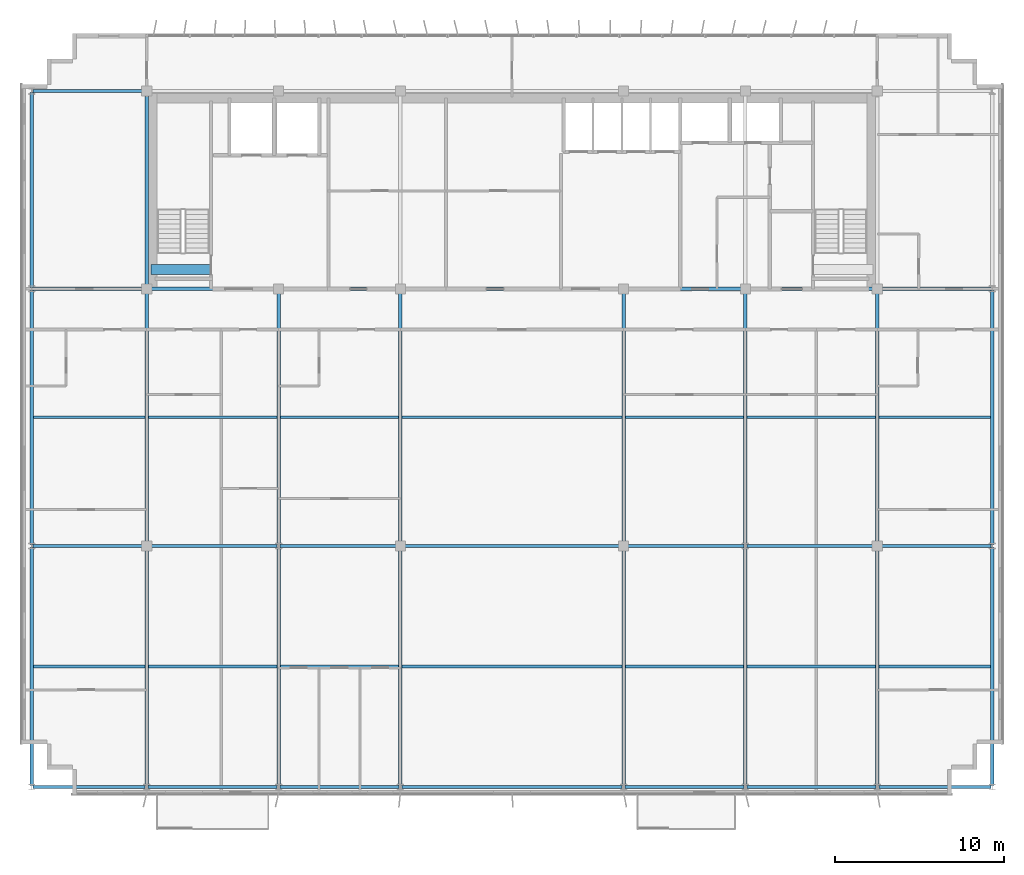
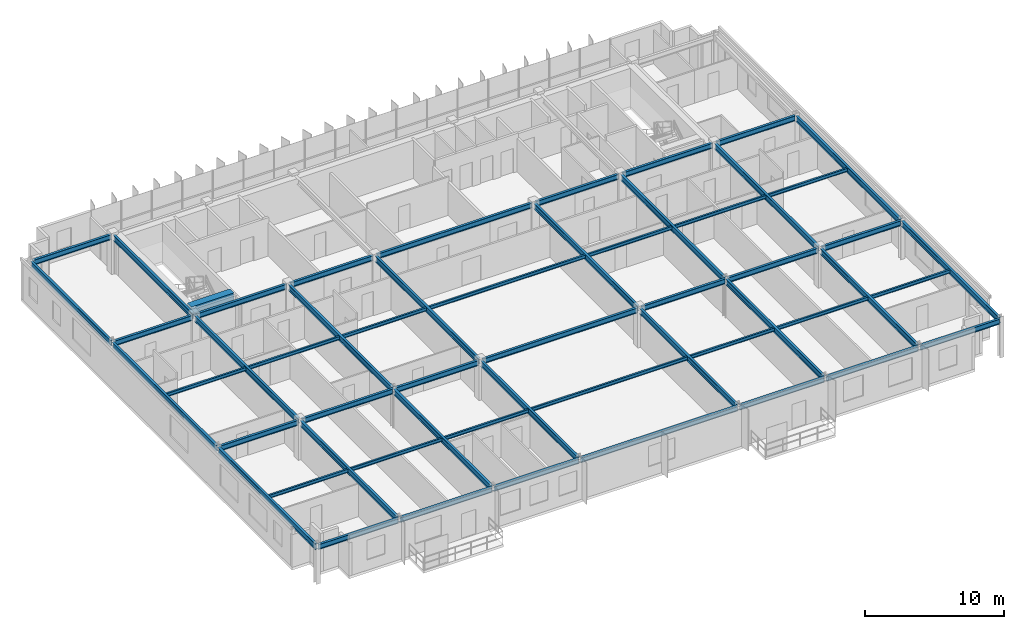
# One storey, part 5 of 22: 55 beams.
"""IFC4 building model written with IfcOpenShell, lengths in metres."""

import ifcopenshell
import ifcopenshell.guid

model = None  # the IFC model being written
_history = None  # IfcOwnerHistory: only IFC2X3 demands one
_inside = {}  # id of a spatial element -> (the spatial element, [elements in it])
_under = {}  # id of a project, library or spatial element -> (it, [spatial elements below it])
_declared = {}  # id of a project -> (the project, [libraries it declares])
_typed = {}  # id of a type object -> (the type object, [elements of that type])
_made_of = {}  # id of a material, layer set ... -> (it, [elements and type objects made of it])


def new_model(schema):
    """Start an empty IFC model of exactly this schema.

    Asked for "IFC4X3", IfcOpenShell would pick the latest addendum, in which some entities
    have other attributes; the version numbers below select the first issue.
    IFC2X3 requires an IfcOwnerHistory on every rooted entity: one is made here for all.
    """
    global model, _history
    if schema == "IFC4X3":
        model = ifcopenshell.file(schema_version=(4, 3, 0, 0))
    else:
        model = ifcopenshell.file(schema=schema)
    _inside.clear()
    _under.clear()
    _declared.clear()
    _typed.clear()
    _made_of.clear()
    _history = None
    if model.schema == "IFC2X3":
        org = make("IfcOrganization", Name="unknown")
        user = make(
            "IfcPersonAndOrganization",
            ThePerson=make("IfcPerson", FamilyName="unknown"),
            TheOrganization=org,
        )
        app = make(
            "IfcApplication",
            ApplicationDeveloper=org,
            Version="unknown",
            ApplicationFullName="unknown",
            ApplicationIdentifier="unknown",
        )
        _history = make(
            "IfcOwnerHistory",
            OwningUser=user,
            OwningApplication=app,
            ChangeAction="ADDED",
            CreationDate=0,
        )
    return model


def make(cls, **values):
    """One entity of the class cls with the attributes given. An attribute that is None is left unset."""
    return model.create_entity(
        cls, **{name: value for name, value in values.items() if value is not None}
    )


def rooted(cls, **values):
    """An entity with a GlobalId (a new one), such as an element, a storey or a relation."""
    return make(cls, GlobalId=ifcopenshell.guid.new(), OwnerHistory=_history, **values)


def si_unit(unit_type, name, prefix=None):
    """IfcSIUnit, for example si_unit("LENGTHUNIT", "METRE", prefix="MILLI")."""
    return make("IfcSIUnit", UnitType=unit_type, Prefix=prefix, Name=name)


def assignment(units):
    """IfcUnitAssignment: the units of a project."""
    return None if units is None else make("IfcUnitAssignment", Units=units)


def point(xyz):
    """IfcCartesianPoint."""
    return None if xyz is None else make("IfcCartesianPoint", Coordinates=xyz)


def direction(xyz):
    """IfcDirection."""
    return None if xyz is None else make("IfcDirection", DirectionRatios=xyz)


def frame(location, z_axis=None, x_axis=None):
    """IfcAxis2Placement3D, a coordinate frame: its origin and axes. An axis left out is left unset."""
    return make(
        "IfcAxis2Placement3D",
        Location=point(location),
        Axis=direction(z_axis),
        RefDirection=direction(x_axis),
    )


def frame_2d(location, x_axis=None):
    """IfcAxis2Placement2D, a coordinate frame in the plane: its origin and x axis."""
    return make(
        "IfcAxis2Placement2D", Location=point(location), RefDirection=direction(x_axis)
    )


def origin():
    """The frame at (0, 0, 0) with its axes left unset."""
    return frame((0.0, 0.0, 0.0))


def origin_2d():
    """The frame at (0, 0) in the plane with its x axis left unset."""
    return frame_2d((0.0, 0.0))


def place(relative_to, where):
    """IfcLocalPlacement: puts the frame where relative to a parent placement (None: the world)."""
    return make(
        "IfcLocalPlacement", PlacementRelTo=relative_to, RelativePlacement=where
    )


def context(
    kind, dimensions, precision=None, world=None, true_north=None, identifier=None
):
    """IfcGeometricRepresentationContext, for example the 3D "Model" context."""
    return make(
        "IfcGeometricRepresentationContext",
        ContextIdentifier=identifier,
        ContextType=kind,
        CoordinateSpaceDimension=dimensions,
        Precision=precision,
        WorldCoordinateSystem=world,
        TrueNorth=true_north,
    )


def subcontext(parent, identifier, kind, view, scale=None):
    """IfcGeometricRepresentationSubContext, for example "Body" below "Model"."""
    return make(
        "IfcGeometricRepresentationSubContext",
        ContextIdentifier=identifier,
        ContextType=kind,
        ParentContext=parent,
        TargetScale=scale,
        TargetView=view,
    )


def project(units=None, contexts=None):
    """IfcProject with its units and contexts."""
    return rooted(
        "IfcProject",
        Name="project",
        RepresentationContexts=contexts,
        UnitsInContext=assignment(units),
    )


def spatial(cls, under=None, at=None, **own):
    """A site, building, storey or space (cls), placed at a placement, below another one or the project."""
    s = rooted(cls, ObjectPlacement=at, **own)
    if under is not None:
        _under.setdefault(under.id(), (under, []))[1].append(s)
    return s


def profile(cls, at=None, kind="AREA", **sizes):
    """A parametric profile (cls). Its sizes go by their IFC names, for example OverallWidth=200.0."""
    return make(cls, ProfileType=kind, Position=at, **sizes)


def rectangle(**sizes):
    """IfcRectangleProfileDef."""
    return profile("IfcRectangleProfileDef", **sizes)


def i_section(**sizes):
    """IfcIShapeProfileDef."""
    return profile("IfcIShapeProfileDef", **sizes)


def extrude(swept, where, along, depth):
    """IfcExtrudedAreaSolid: the profile swept, set in the frame where, extruded along a direction by depth."""
    return make(
        "IfcExtrudedAreaSolid",
        SweptArea=swept,
        Position=where,
        ExtrudedDirection=direction(along),
        Depth=depth,
    )


def shape(context_of_items, identifier, shape_type, items):
    """IfcShapeRepresentation: the items that make up one representation, for example the "Body"."""
    return make(
        "IfcShapeRepresentation",
        ContextOfItems=context_of_items,
        RepresentationIdentifier=identifier,
        RepresentationType=shape_type,
        Items=items,
    )


def source(mapping_origin, context_of_items, identifier, shape_type, items):
    """IfcRepresentationMap: a shape defined once, which mapped items show again and again."""
    return make(
        "IfcRepresentationMap",
        MappingOrigin=mapping_origin,
        MappedRepresentation=shape(context_of_items, identifier, shape_type, items),
    )


def transform(
    local_origin,
    x_axis=None,
    y_axis=None,
    z_axis=None,
    scale=None,
    scale2=None,
    scale3=None,
    uniform=True,
):
    """IfcCartesianTransformationOperator3D, or its non-uniform kind. x_axis, y_axis, z_axis: its Axis1, 2, 3."""
    if uniform:
        return make(
            "IfcCartesianTransformationOperator3D",
            Axis1=direction(x_axis),
            Axis2=direction(y_axis),
            LocalOrigin=point(local_origin),
            Scale=scale,
            Axis3=direction(z_axis),
        )
    return make(
        "IfcCartesianTransformationOperator3DnonUniform",
        Axis1=direction(x_axis),
        Axis2=direction(y_axis),
        LocalOrigin=point(local_origin),
        Scale=scale,
        Axis3=direction(z_axis),
        Scale2=scale2,
        Scale3=scale3,
    )


def mapped(mapping_source, mapping_target):
    """IfcMappedItem: shows the shape of a source again, moved by a transform."""
    return make(
        "IfcMappedItem", MappingSource=mapping_source, MappingTarget=mapping_target
    )


def material(Name=None, Category=None):
    """IfcMaterial."""
    return make("IfcMaterial", Name=Name, Category=Category)


def material_profile(
    of_material, cross_section, Name=None, Category=None, Priority=None
):
    """IfcMaterialProfile: a cross section and its material."""
    return make(
        "IfcMaterialProfile",
        Name=Name,
        Material=of_material,
        Profile=cross_section,
        Priority=Priority,
        Category=Category,
    )


def profile_set(profiles, Name=None, composite=None):
    """IfcMaterialProfileSet."""
    return make(
        "IfcMaterialProfileSet",
        Name=Name,
        MaterialProfiles=profiles,
        CompositeProfile=composite,
    )


def made_of(thing, what):
    """Note that an element or type object is made of a material, layer set ...; save() writes the relation."""
    if what is not None:
        _made_of.setdefault(what.id(), (what, []))[1].append(thing)
    return thing


def type_object(cls, material=None, **own):
    """A type object (cls), such as IfcWallType, which elements share."""
    return made_of(rooted(cls, **own), material)


def element(
    cls,
    number,
    at=None,
    inside=None,
    cuts=None,
    type_object=None,
    material=None,
    context=None,
    identifier="Body",
    shape_type=None,
    held_by="IfcProductDefinitionShape",
    body=None,
    shapes=None,
    **own,
):
    """One element of the class cls, such as IfcWall. Its Tag is "e" and its number.

    at: its placement. inside: the storey or other place that contains it. cuts: it is an
    opening in that element (IfcRelVoidsElement). A single representation is given by context,
    identifier, shape_type and body (its items); several are given by shapes. held_by: the class
    of the entity that holds the representations. save() writes the other relations.
    """
    e = rooted(cls, Tag="e%d" % number, ObjectPlacement=at, **own)
    if body is not None:
        shapes = [shape(context, identifier, shape_type, body)]
    if shapes is not None:
        e.Representation = make(held_by, Representations=shapes)
    if inside is not None:
        _inside.setdefault(inside.id(), (inside, []))[1].append(e)
    if cuts is not None:
        rooted(
            "IfcRelVoidsElement", RelatingBuildingElement=cuts, RelatedOpeningElement=e
        )
    if type_object is not None:
        _typed.setdefault(type_object.id(), (type_object, []))[1].append(e)
    return made_of(e, material)


def aggregate(whole, parts):
    """IfcRelAggregates: a whole, such as a stair, and the parts it consists of."""
    return rooted("IfcRelAggregates", RelatingObject=whole, RelatedObjects=parts)


def save(model, path):
    """Write the relations noted so far, then the file.

    IfcRelAggregates (storeys below a building ...), IfcRelContainedInSpatialStructure (elements
    in a storey), IfcRelDefinesByType, IfcRelAssociatesMaterial and IfcRelDeclares: one each for
    every whole, place, type object, material and project.
    """
    for whole, parts in _under.values():
        aggregate(whole, parts)
    for where, things in _inside.values():
        rooted(
            "IfcRelContainedInSpatialStructure",
            RelatedElements=things,
            RelatingStructure=where,
        )
    for kind, things in _typed.values():
        rooted("IfcRelDefinesByType", RelatedObjects=things, RelatingType=kind)
    for what, things in _made_of.values():
        rooted("IfcRelAssociatesMaterial", RelatedObjects=things, RelatingMaterial=what)
    for by, libraries in _declared.values():
        rooted("IfcRelDeclares", RelatingContext=by, RelatedDefinitions=libraries)
    model.write(path)


model = new_model("IFC4")

# Units and contexts
model_context = context("Model", 3, precision=1e-05, world=origin(), true_north=direction((0.0, 1.0)))
body_context = subcontext(model_context, "Body", "Model", "MODEL_VIEW")
ifc_project = project(units=[si_unit("LENGTHUNIT", "METRE"), si_unit("AREAUNIT", "SQUARE_METRE"), si_unit("VOLUMEUNIT", "CUBIC_METRE"), si_unit("PLANEANGLEUNIT", "RADIAN"), si_unit("MASSUNIT", "GRAM", prefix="KILO")], contexts=[model_context])

# Site, building, storey
site_placement = place(None, origin())
site = spatial("IfcSite", under=ifc_project, at=site_placement, CompositionType="ELEMENT")
building_placement = place(site_placement, origin())
building = spatial("IfcBuilding", under=site, at=building_placement, Name="Trelvane Seafront Commons", CompositionType="ELEMENT")
storey_placement = place(building_placement, frame((0.0, 0.0, 277.5)))
storey = spatial("IfcBuildingStorey", under=building, at=storey_placement, Name="L72", CompositionType="ELEMENT", Elevation=277.5)

# Beams
ifc_material_1 = material(Name="Concrete C60/75", Category="concrete")
ifc_material_profile_1 = material_profile(ifc_material_1, rectangle(XDim=0.60009765625, YDim=0.89990234375, at=origin_2d()), Name="RC-600x900")
ifc_profile_set_1 = profile_set([ifc_material_profile_1], Name="Concrete C60/75")
beam_type_1 = type_object("IfcBeamType", Name="STR-LNT-RC600x900", PredefinedType="LINTEL", material=ifc_profile_set_1)
shared_shape_1 = source(origin(), body_context, "Body", "SweptSolid", [
    extrude(rectangle(XDim=0.60009765625, YDim=0.89990234375, at=origin_2d()), origin(), (0.0, 0.0, 1.0), 3.5498046875),
])
beam_1_placement = place(storey_placement, frame((15.85009765625, 34.550048828125, 2.919921875), z_axis=(1.0, 0.0, 0.0), x_axis=(0.0, 1.0, 0.0)))
element("IfcBeam", 1, at=beam_1_placement, inside=storey, type_object=beam_type_1, Name="L72 Core Coupling Lintel Beam CB-67", PredefinedType="LINTEL", context=body_context, shape_type="MappedRepresentation", body=[
    mapped(shared_shape_1, transform((0.0, 0.0, 0.0), x_axis=(1.0, 0.0, 0.0), y_axis=(0.0, 1.0, 0.0), z_axis=(0.0, 0.0, 1.0), scale=1.0)),
])
ifc_material_2 = material(Name="Steel SM355 (S355)", Category="steel")
ifc_material_profile_2 = material_profile(ifc_material_2, i_section(OverallWidth=0.199951171875, OverallDepth=0.5, WebThickness=0.010009765625, FlangeThickness=0.01611328125, at=origin_2d()), Name="H-500x200x10x16")
ifc_profile_set_2 = profile_set([ifc_material_profile_2], Name="Steel SM355 (S355)")
beam_type_2 = type_object("IfcBeamType", Name="STR-BM-H500", PredefinedType="BEAM", material=ifc_profile_set_2)
shared_shape_2 = source(origin(), body_context, "Body", "SweptSolid", [
    extrude(i_section(OverallWidth=0.199951171875, OverallDepth=0.5, WebThickness=0.010009765625, FlangeThickness=0.01611328125, at=origin_2d()), origin(), (0.0, 0.0, 1.0), 14.89990234375),
])
for number, where, z_axis, x_axis, name in (
    (2, (15.60009765625, 18.35009765625, 3.1201171875), (0.0, 1.0, 0.0), (-1.0, 0.0, 0.0), "L72 Primary Girder G-33"),
    (3, (30.60009765625, 18.35009765625, 3.1201171875), (0.0, 1.0, 0.0), (-1.0, 0.0, 0.0), "L72 Primary Girder G-39"),
    (4, (43.800048828125, 18.35009765625, 3.1201171875), (0.0, 1.0, 0.0), (-1.0, 0.0, 0.0), "L72 Primary Girder G-42"),
    (5, (58.800048828125, 18.35009765625, 3.1201171875), (0.0, 1.0, 0.0), (-1.0, 0.0, 0.0), "L72 Primary Girder G-48"),
):
    element("IfcBeam", number, at=place(storey_placement, frame(where, z_axis=z_axis, x_axis=x_axis)), inside=storey, type_object=beam_type_2, Name=name, PredefinedType="BEAM", context=body_context, shape_type="MappedRepresentation", body=[
        mapped(shared_shape_2, transform((0.0, 0.0, 0.0), x_axis=(1.0, 0.0, 0.0), y_axis=(0.0, 1.0, 0.0), z_axis=(0.0, 0.0, 1.0), scale=1.0)),
    ])
shared_shape_3 = source(origin(), body_context, "Body", "SweptSolid", [
    extrude(i_section(OverallWidth=0.199951171875, OverallDepth=0.5, WebThickness=0.010009765625, FlangeThickness=0.01611328125, at=origin_2d()), origin(), (0.0, 0.0, 1.0), 11.39990234375),
])
beam_2_placement = place(storey_placement, frame((15.60009765625, 33.550048828125, 3.1201171875), z_axis=(0.0, 1.0, 0.0), x_axis=(-1.0, 0.0, 0.0)))
element("IfcBeam", 6, at=beam_2_placement, inside=storey, type_object=beam_type_2, Name="L72 Primary Girder G-34", PredefinedType="BEAM", context=body_context, shape_type="MappedRepresentation", body=[
    mapped(shared_shape_3, transform((0.0, 0.0, 0.0), x_axis=(1.0, 0.0, 0.0), y_axis=(0.0, 1.0, 0.0), z_axis=(0.0, 0.0, 1.0), scale=1.0)),
])
ifc_material_profile_3 = material_profile(ifc_material_2, i_section(OverallWidth=0.199951171875, OverallDepth=0.449951171875, WebThickness=0.009033203125, FlangeThickness=0.013916015625, at=origin_2d()), Name="H-450x200x9x14")
ifc_profile_set_3 = profile_set([ifc_material_profile_3], Name="Steel SM355 (S355)")
beam_type_3 = type_object("IfcBeamType", Name="STR-SPD-H450", PredefinedType="SPANDREL", material=ifc_profile_set_3)
shared_shape_4 = source(origin(), body_context, "Body", "SweptSolid", [
    extrude(i_section(OverallWidth=0.199951171875, OverallDepth=0.449951171875, WebThickness=0.009033203125, FlangeThickness=0.013916015625, at=origin_2d()), origin(), (0.0, 0.0, 1.0), 6.625),
])
for number, where, z_axis, x_axis, name in (
    (7, (8.887451171875, 3.949951171875, 3.14501953125), (1.0, 0.0, 0.0), (0.0, 1.0, 0.0), "L72 Primary Girder G-01"),
    (8, (58.887451171875, 3.949951171875, 3.14501953125), (1.0, 0.0, 0.0), (0.0, 1.0, 0.0), "L72 Primary Girder G-07"),
):
    element("IfcBeam", number, at=place(storey_placement, frame(where, z_axis=z_axis, x_axis=x_axis)), inside=storey, type_object=beam_type_3, Name=name, PredefinedType="SPANDREL", context=body_context, shape_type="MappedRepresentation", body=[
        mapped(shared_shape_4, transform((0.0, 0.0, 0.0), x_axis=(1.0, 0.0, 0.0), y_axis=(0.0, 1.0, 0.0), z_axis=(0.0, 0.0, 1.0), scale=1.0)),
    ])
shared_shape_5 = source(origin(), body_context, "Body", "SweptSolid", [
    extrude(i_section(OverallWidth=0.199951171875, OverallDepth=0.449951171875, WebThickness=0.009033203125, FlangeThickness=0.013916015625, at=origin_2d()), origin(), (0.0, 0.0, 1.0), 7.625),
])
for number, where, z_axis, x_axis, name in (
    (9, (15.6875, 3.949951171875, 3.14501953125), (1.0, 0.0, 0.0), (0.0, 1.0, 0.0), "L72 Primary Girder G-02"),
    (10, (51.08740234375, 3.949951171875, 3.14501953125), (1.0, 0.0, 0.0), (0.0, 1.0, 0.0), "L72 Primary Girder G-06"),
):
    element("IfcBeam", number, at=place(storey_placement, frame(where, z_axis=z_axis, x_axis=x_axis)), inside=storey, type_object=beam_type_3, Name=name, PredefinedType="SPANDREL", context=body_context, shape_type="MappedRepresentation", body=[
        mapped(shared_shape_5, transform((0.0, 0.0, 0.0), x_axis=(1.0, 0.0, 0.0), y_axis=(0.0, 1.0, 0.0), z_axis=(0.0, 0.0, 1.0), scale=1.0)),
    ])
shared_shape_6 = source(origin(), body_context, "Body", "SweptSolid", [
    extrude(i_section(OverallWidth=0.199951171875, OverallDepth=0.449951171875, WebThickness=0.009033203125, FlangeThickness=0.013916015625, at=origin_2d()), origin(), (0.0, 0.0, 1.0), 7.02490234375),
])
beam_3_placement = place(storey_placement, frame((23.487548828125, 3.949951171875, 3.14501953125), z_axis=(1.0, 0.0, 0.0), x_axis=(0.0, 1.0, 0.0)))
element("IfcBeam", 11, at=beam_3_placement, inside=storey, type_object=beam_type_3, Name="L72 Primary Girder G-03", PredefinedType="SPANDREL", context=body_context, shape_type="MappedRepresentation", body=[
    mapped(shared_shape_6, transform((0.0, 0.0, 0.0), x_axis=(1.0, 0.0, 0.0), y_axis=(0.0, 1.0, 0.0), z_axis=(0.0, 0.0, 1.0), scale=1.0)),
])
shared_shape_7 = source(origin(), body_context, "Body", "SweptSolid", [
    extrude(i_section(OverallWidth=0.199951171875, OverallDepth=0.449951171875, WebThickness=0.009033203125, FlangeThickness=0.013916015625, at=origin_2d()), origin(), (0.0, 0.0, 1.0), 7.025146484375),
])
beam_4_placement = place(storey_placement, frame((43.887451171875, 3.949951171875, 3.14501953125), z_axis=(1.0, 0.0, 0.0), x_axis=(0.0, 1.0, 0.0)))
element("IfcBeam", 12, at=beam_4_placement, inside=storey, type_object=beam_type_3, Name="L72 Primary Girder G-05", PredefinedType="SPANDREL", context=body_context, shape_type="MappedRepresentation", body=[
    mapped(shared_shape_7, transform((0.0, 0.0, 0.0), x_axis=(1.0, 0.0, 0.0), y_axis=(0.0, 1.0, 0.0), z_axis=(0.0, 0.0, 1.0), scale=1.0)),
])
shared_shape_8 = source(origin(), body_context, "Body", "SweptSolid", [
    extrude(i_section(OverallWidth=0.199951171875, OverallDepth=0.449951171875, WebThickness=0.009033203125, FlangeThickness=0.013916015625, at=origin_2d()), origin(), (0.0, 0.0, 1.0), 6.5625),
])
for number, where, z_axis, x_axis, name in (
    (13, (8.887451171875, 18.199951171875, 3.14501953125), (1.0, 0.0, 0.0), (0.0, 1.0, 0.0), "L72 Primary Girder G-08"),
    (14, (58.949951171875, 18.199951171875, 3.14501953125), (1.0, 0.0, 0.0), (0.0, 1.0, 0.0), "L72 Primary Girder G-14"),
    (15, (8.887451171875, 33.39990234375, 3.14501953125), (1.0, 0.0, 0.0), (0.0, 1.0, 0.0), "L72 Primary Girder G-15"),
    (16, (58.949951171875, 33.39990234375, 3.14501953125), (1.0, 0.0, 0.0), (0.0, 1.0, 0.0), "L72 Primary Girder G-21"),
    (17, (8.887451171875, 45.10009765625, 3.14501953125), (1.0, 0.0, 0.0), (0.0, 1.0, 0.0), "L72 Primary Girder G-22"),
):
    element("IfcBeam", number, at=place(storey_placement, frame(where, z_axis=z_axis, x_axis=x_axis)), inside=storey, type_object=beam_type_3, Name=name, PredefinedType="SPANDREL", context=body_context, shape_type="MappedRepresentation", body=[
        mapped(shared_shape_8, transform((0.0, 0.0, 0.0), x_axis=(1.0, 0.0, 0.0), y_axis=(0.0, 1.0, 0.0), z_axis=(0.0, 0.0, 1.0), scale=1.0)),
    ])
shared_shape_9 = source(origin(), body_context, "Body", "SweptSolid", [
    extrude(i_section(OverallWidth=0.199951171875, OverallDepth=0.449951171875, WebThickness=0.009033203125, FlangeThickness=0.013916015625, at=origin_2d()), origin(), (0.0, 0.0, 1.0), 7.5625),
])
for number, where, z_axis, x_axis, name in (
    (18, (15.75, 18.199951171875, 3.14501953125), (1.0, 0.0, 0.0), (0.0, 1.0, 0.0), "L72 Primary Girder G-09"),
    (19, (51.08740234375, 18.199951171875, 3.14501953125), (1.0, 0.0, 0.0), (0.0, 1.0, 0.0), "L72 Primary Girder G-13"),
):
    element("IfcBeam", number, at=place(storey_placement, frame(where, z_axis=z_axis, x_axis=x_axis)), inside=storey, type_object=beam_type_3, Name=name, PredefinedType="SPANDREL", context=body_context, shape_type="MappedRepresentation", body=[
        mapped(shared_shape_9, transform((0.0, 0.0, 0.0), x_axis=(1.0, 0.0, 0.0), y_axis=(0.0, 1.0, 0.0), z_axis=(0.0, 0.0, 1.0), scale=1.0)),
    ])
shared_shape_10 = source(origin(), body_context, "Body", "SweptSolid", [
    extrude(i_section(OverallWidth=0.199951171875, OverallDepth=0.449951171875, WebThickness=0.009033203125, FlangeThickness=0.013916015625, at=origin_2d()), origin(), (0.0, 0.0, 1.0), 6.96240234375),
])
beam_5_placement = place(storey_placement, frame((23.487548828125, 18.199951171875, 3.14501953125), z_axis=(1.0, 0.0, 0.0), x_axis=(0.0, 1.0, 0.0)))
element("IfcBeam", 20, at=beam_5_placement, inside=storey, type_object=beam_type_3, Name="L72 Primary Girder G-10", PredefinedType="SPANDREL", context=body_context, shape_type="MappedRepresentation", body=[
    mapped(shared_shape_10, transform((0.0, 0.0, 0.0), x_axis=(1.0, 0.0, 0.0), y_axis=(0.0, 1.0, 0.0), z_axis=(0.0, 0.0, 1.0), scale=1.0)),
])
shared_shape_11 = source(origin(), body_context, "Body", "SweptSolid", [
    extrude(i_section(OverallWidth=0.199951171875, OverallDepth=0.449951171875, WebThickness=0.009033203125, FlangeThickness=0.013916015625, at=origin_2d()), origin(), (0.0, 0.0, 1.0), 6.962646484375),
])
beam_6_placement = place(storey_placement, frame((43.949951171875, 18.199951171875, 3.14501953125), z_axis=(1.0, 0.0, 0.0), x_axis=(0.0, 1.0, 0.0)))
element("IfcBeam", 21, at=beam_6_placement, inside=storey, type_object=beam_type_3, Name="L72 Primary Girder G-12", PredefinedType="SPANDREL", context=body_context, shape_type="MappedRepresentation", body=[
    mapped(shared_shape_11, transform((0.0, 0.0, 0.0), x_axis=(1.0, 0.0, 0.0), y_axis=(0.0, 1.0, 0.0), z_axis=(0.0, 0.0, 1.0), scale=1.0)),
])
shared_shape_12 = source(origin(), body_context, "Body", "SweptSolid", [
    extrude(i_section(OverallWidth=0.199951171875, OverallDepth=0.449951171875, WebThickness=0.009033203125, FlangeThickness=0.013916015625, at=origin_2d()), origin(), (0.0, 0.0, 1.0), 7.5),
])
for number, where, z_axis, x_axis, name in (
    (22, (15.75, 33.39990234375, 3.14501953125), (1.0, 0.0, 0.0), (0.0, 1.0, 0.0), "L72 Primary Girder G-16"),
    (23, (51.14990234375, 33.39990234375, 3.14501953125), (1.0, 0.0, 0.0), (0.0, 1.0, 0.0), "L72 Primary Girder G-20"),
):
    element("IfcBeam", number, at=place(storey_placement, frame(where, z_axis=z_axis, x_axis=x_axis)), inside=storey, type_object=beam_type_3, Name=name, PredefinedType="SPANDREL", context=body_context, shape_type="MappedRepresentation", body=[
        mapped(shared_shape_12, transform((0.0, 0.0, 0.0), x_axis=(1.0, 0.0, 0.0), y_axis=(0.0, 1.0, 0.0), z_axis=(0.0, 0.0, 1.0), scale=1.0)),
    ])
shared_shape_13 = source(origin(), body_context, "Body", "SweptSolid", [
    extrude(i_section(OverallWidth=0.199951171875, OverallDepth=0.449951171875, WebThickness=0.009033203125, FlangeThickness=0.013916015625, at=origin_2d()), origin(), (0.0, 0.0, 1.0), 6.89990234375),
])
beam_7_placement = place(storey_placement, frame((23.550048828125, 33.39990234375, 3.14501953125), z_axis=(1.0, 0.0, 0.0), x_axis=(0.0, 1.0, 0.0)))
element("IfcBeam", 24, at=beam_7_placement, inside=storey, type_object=beam_type_3, Name="L72 Primary Girder G-17", PredefinedType="SPANDREL", context=body_context, shape_type="MappedRepresentation", body=[
    mapped(shared_shape_13, transform((0.0, 0.0, 0.0), x_axis=(1.0, 0.0, 0.0), y_axis=(0.0, 1.0, 0.0), z_axis=(0.0, 0.0, 1.0), scale=1.0)),
])
shared_shape_14 = source(origin(), body_context, "Body", "SweptSolid", [
    extrude(i_section(OverallWidth=0.199951171875, OverallDepth=0.449951171875, WebThickness=0.009033203125, FlangeThickness=0.013916015625, at=origin_2d()), origin(), (0.0, 0.0, 1.0), 12.89990234375),
])
for number, where, z_axis, x_axis, name in (
    (25, (30.75, 18.199951171875, 3.14501953125), (1.0, 0.0, 0.0), (0.0, 1.0, 0.0), "L72 Primary Girder G-11"),
    (26, (30.75, 33.39990234375, 3.14501953125), (1.0, 0.0, 0.0), (0.0, 1.0, 0.0), "L72 Primary Girder G-18"),
):
    element("IfcBeam", number, at=place(storey_placement, frame(where, z_axis=z_axis, x_axis=x_axis)), inside=storey, type_object=beam_type_3, Name=name, PredefinedType="SPANDREL", context=body_context, shape_type="MappedRepresentation", body=[
        mapped(shared_shape_14, transform((0.0, 0.0, 0.0), x_axis=(1.0, 0.0, 0.0), y_axis=(0.0, 1.0, 0.0), z_axis=(0.0, 0.0, 1.0), scale=1.0)),
    ])
shared_shape_15 = source(origin(), body_context, "Body", "SweptSolid", [
    extrude(i_section(OverallWidth=0.199951171875, OverallDepth=0.449951171875, WebThickness=0.009033203125, FlangeThickness=0.013916015625, at=origin_2d()), origin(), (0.0, 0.0, 1.0), 6.900146484375),
])
beam_8_placement = place(storey_placement, frame((43.949951171875, 33.39990234375, 3.14501953125), z_axis=(1.0, 0.0, 0.0), x_axis=(0.0, 1.0, 0.0)))
element("IfcBeam", 27, at=beam_8_placement, inside=storey, type_object=beam_type_3, Name="L72 Primary Girder G-19", PredefinedType="SPANDREL", context=body_context, shape_type="MappedRepresentation", body=[
    mapped(shared_shape_15, transform((0.0, 0.0, 0.0), x_axis=(1.0, 0.0, 0.0), y_axis=(0.0, 1.0, 0.0), z_axis=(0.0, 0.0, 1.0), scale=1.0)),
])
shared_shape_16 = source(origin(), body_context, "Body", "SweptSolid", [
    extrude(i_section(OverallWidth=0.199951171875, OverallDepth=0.5, WebThickness=0.010009765625, FlangeThickness=0.01611328125, at=origin_2d()), origin(), (0.0, 0.0, 1.0), 14.074951171875),
])
for number, where, z_axis, x_axis, name in (
    (28, (8.800048828125, 4.03759765625, 3.1201171875), (0.0, 1.0, 0.0), (-1.0, 0.0, 0.0), "L72 Primary Girder G-29"),
    (29, (23.39990234375, 4.03759765625, 3.1201171875), (0.0, 1.0, 0.0), (-1.0, 0.0, 0.0), "L72 Primary Girder G-35"),
    (30, (51.0, 4.03759765625, 3.1201171875), (0.0, 1.0, 0.0), (-1.0, 0.0, 0.0), "L72 Primary Girder G-44"),
    (31, (65.60009765625, 4.03759765625, 3.1201171875), (0.0, 1.0, 0.0), (-1.0, 0.0, 0.0), "L72 Primary Girder G-50"),
):
    element("IfcBeam", number, at=place(storey_placement, frame(where, z_axis=z_axis, x_axis=x_axis)), inside=storey, type_object=beam_type_2, Name=name, PredefinedType="BEAM", context=body_context, shape_type="MappedRepresentation", body=[
        mapped(shared_shape_16, transform((0.0, 0.0, 0.0), x_axis=(1.0, 0.0, 0.0), y_axis=(0.0, 1.0, 0.0), z_axis=(0.0, 0.0, 1.0), scale=1.0)),
    ])
shared_shape_17 = source(origin(), body_context, "Body", "SweptSolid", [
    extrude(i_section(OverallWidth=0.199951171875, OverallDepth=0.5, WebThickness=0.010009765625, FlangeThickness=0.01611328125, at=origin_2d()), origin(), (0.0, 0.0, 1.0), 15.02490234375),
])
for number, where, z_axis, x_axis, name in (
    (32, (8.800048828125, 18.28759765625, 3.1201171875), (0.0, 1.0, 0.0), (-1.0, 0.0, 0.0), "L72 Primary Girder G-30"),
    (33, (65.60009765625, 18.28759765625, 3.1201171875), (0.0, 1.0, 0.0), (-1.0, 0.0, 0.0), "L72 Primary Girder G-51"),
):
    element("IfcBeam", number, at=place(storey_placement, frame(where, z_axis=z_axis, x_axis=x_axis)), inside=storey, type_object=beam_type_2, Name=name, PredefinedType="BEAM", context=body_context, shape_type="MappedRepresentation", body=[
        mapped(shared_shape_17, transform((0.0, 0.0, 0.0), x_axis=(1.0, 0.0, 0.0), y_axis=(0.0, 1.0, 0.0), z_axis=(0.0, 0.0, 1.0), scale=1.0)),
    ])
shared_shape_18 = source(origin(), body_context, "Body", "SweptSolid", [
    extrude(i_section(OverallWidth=0.199951171875, OverallDepth=0.5, WebThickness=0.010009765625, FlangeThickness=0.01611328125, at=origin_2d()), origin(), (0.0, 0.0, 1.0), 11.52490234375),
])
beam_9_placement = place(storey_placement, frame((8.800048828125, 33.487548828125, 3.1201171875), z_axis=(0.0, 1.0, 0.0), x_axis=(-1.0, 0.0, 0.0)))
element("IfcBeam", 34, at=beam_9_placement, inside=storey, type_object=beam_type_2, Name="L72 Primary Girder G-31", PredefinedType="BEAM", context=body_context, shape_type="MappedRepresentation", body=[
    mapped(shared_shape_18, transform((0.0, 0.0, 0.0), x_axis=(1.0, 0.0, 0.0), y_axis=(0.0, 1.0, 0.0), z_axis=(0.0, 0.0, 1.0), scale=1.0)),
])
shared_shape_19 = source(origin(), body_context, "Body", "SweptSolid", [
    extrude(i_section(OverallWidth=0.199951171875, OverallDepth=0.5, WebThickness=0.010009765625, FlangeThickness=0.01611328125, at=origin_2d()), origin(), (0.0, 0.0, 1.0), 14.012451171875),
])
for number, where, z_axis, x_axis, name in (
    (35, (15.60009765625, 4.03759765625, 3.1201171875), (0.0, 1.0, 0.0), (-1.0, 0.0, 0.0), "L72 Primary Girder G-32"),
    (36, (30.60009765625, 4.03759765625, 3.1201171875), (0.0, 1.0, 0.0), (-1.0, 0.0, 0.0), "L72 Primary Girder G-38"),
    (37, (43.800048828125, 4.03759765625, 3.1201171875), (0.0, 1.0, 0.0), (-1.0, 0.0, 0.0), "L72 Primary Girder G-41"),
    (38, (58.800048828125, 4.03759765625, 3.1201171875), (0.0, 1.0, 0.0), (-1.0, 0.0, 0.0), "L72 Primary Girder G-47"),
):
    element("IfcBeam", number, at=place(storey_placement, frame(where, z_axis=z_axis, x_axis=x_axis)), inside=storey, type_object=beam_type_2, Name=name, PredefinedType="BEAM", context=body_context, shape_type="MappedRepresentation", body=[
        mapped(shared_shape_19, transform((0.0, 0.0, 0.0), x_axis=(1.0, 0.0, 0.0), y_axis=(0.0, 1.0, 0.0), z_axis=(0.0, 0.0, 1.0), scale=1.0)),
    ])
shared_shape_20 = source(origin(), body_context, "Body", "SweptSolid", [
    extrude(i_section(OverallWidth=0.199951171875, OverallDepth=0.5, WebThickness=0.010009765625, FlangeThickness=0.01611328125, at=origin_2d()), origin(), (0.0, 0.0, 1.0), 14.96240234375),
])
for number, where, z_axis, x_axis, name in (
    (39, (23.39990234375, 18.28759765625, 3.1201171875), (0.0, 1.0, 0.0), (-1.0, 0.0, 0.0), "L72 Primary Girder G-36"),
    (40, (51.0, 18.28759765625, 3.1201171875), (0.0, 1.0, 0.0), (-1.0, 0.0, 0.0), "L72 Primary Girder G-45"),
):
    element("IfcBeam", number, at=place(storey_placement, frame(where, z_axis=z_axis, x_axis=x_axis)), inside=storey, type_object=beam_type_2, Name=name, PredefinedType="BEAM", context=body_context, shape_type="MappedRepresentation", body=[
        mapped(shared_shape_20, transform((0.0, 0.0, 0.0), x_axis=(1.0, 0.0, 0.0), y_axis=(0.0, 1.0, 0.0), z_axis=(0.0, 0.0, 1.0), scale=1.0)),
    ])
ifc_material_profile_4 = material_profile(ifc_material_2, i_section(OverallWidth=0.14990234375, OverallDepth=0.300048828125, WebThickness=0.006591796875, FlangeThickness=0.009033203125, at=origin_2d()), Name="H-300x150x6.5x9")
ifc_profile_set_4 = profile_set([ifc_material_profile_4], Name="Steel SM355 (S355)")
beam_type_4 = type_object("IfcBeamType", Name="STR-JST-H300", PredefinedType="JOIST", material=ifc_profile_set_4)
shared_shape_21 = source(origin(), body_context, "Body", "SweptSolid", [
    extrude(i_section(OverallWidth=0.14990234375, OverallDepth=0.300048828125, WebThickness=0.006591796875, FlangeThickness=0.009033203125, at=origin_2d()), origin(), (0.0, 0.0, 1.0), 6.60009765625),
])
for number, where, z_axis, x_axis, name in (
    (41, (8.89990234375, 11.074951171875, 3.219970703125), (1.0, 0.0, 0.0), (0.0, 1.0, 0.0), "L72 Secondary Floor Joist B-53"),
    (42, (58.89990234375, 11.074951171875, 3.219970703125), (1.0, 0.0, 0.0), (0.0, 1.0, 0.0), "L72 Secondary Floor Joist B-59"),
    (43, (8.89990234375, 25.800048828125, 3.219970703125), (1.0, 0.0, 0.0), (0.0, 1.0, 0.0), "L72 Secondary Floor Joist B-60"),
    (44, (58.89990234375, 25.800048828125, 3.219970703125), (1.0, 0.0, 0.0), (0.0, 1.0, 0.0), "L72 Secondary Floor Joist B-66"),
):
    element("IfcBeam", number, at=place(storey_placement, frame(where, z_axis=z_axis, x_axis=x_axis)), inside=storey, type_object=beam_type_4, Name=name, PredefinedType="JOIST", context=body_context, shape_type="MappedRepresentation", body=[
        mapped(shared_shape_21, transform((0.0, 0.0, 0.0), x_axis=(1.0, 0.0, 0.0), y_axis=(0.0, 1.0, 0.0), z_axis=(0.0, 0.0, 1.0), scale=1.0)),
    ])
shared_shape_22 = source(origin(), body_context, "Body", "SweptSolid", [
    extrude(i_section(OverallWidth=0.14990234375, OverallDepth=0.300048828125, WebThickness=0.006591796875, FlangeThickness=0.009033203125, at=origin_2d()), origin(), (0.0, 0.0, 1.0), 7.60009765625),
])
for number, where, z_axis, x_axis, name in (
    (45, (15.699951171875, 11.074951171875, 3.219970703125), (1.0, 0.0, 0.0), (0.0, 1.0, 0.0), "L72 Secondary Floor Joist B-54"),
    (46, (15.699951171875, 25.800048828125, 3.219970703125), (1.0, 0.0, 0.0), (0.0, 1.0, 0.0), "L72 Secondary Floor Joist B-61"),
):
    element("IfcBeam", number, at=place(storey_placement, frame(where, z_axis=z_axis, x_axis=x_axis)), inside=storey, type_object=beam_type_4, Name=name, PredefinedType="JOIST", context=body_context, shape_type="MappedRepresentation", body=[
        mapped(shared_shape_22, transform((0.0, 0.0, 0.0), x_axis=(1.0, 0.0, 0.0), y_axis=(0.0, 1.0, 0.0), z_axis=(0.0, 0.0, 1.0), scale=1.0)),
    ])
shared_shape_23 = source(origin(), body_context, "Body", "SweptSolid", [
    extrude(i_section(OverallWidth=0.14990234375, OverallDepth=0.300048828125, WebThickness=0.006591796875, FlangeThickness=0.009033203125, at=origin_2d()), origin(), (0.0, 0.0, 1.0), 7.0),
])
for number, where, z_axis, x_axis, name in (
    (47, (23.5, 11.074951171875, 3.219970703125), (1.0, 0.0, 0.0), (0.0, 1.0, 0.0), "L72 Secondary Floor Joist B-55"),
    (48, (43.89990234375, 11.074951171875, 3.219970703125), (1.0, 0.0, 0.0), (0.0, 1.0, 0.0), "L72 Secondary Floor Joist B-57"),
    (49, (23.5, 25.800048828125, 3.219970703125), (1.0, 0.0, 0.0), (0.0, 1.0, 0.0), "L72 Secondary Floor Joist B-62"),
    (50, (43.89990234375, 25.800048828125, 3.219970703125), (1.0, 0.0, 0.0), (0.0, 1.0, 0.0), "L72 Secondary Floor Joist B-64"),
):
    element("IfcBeam", number, at=place(storey_placement, frame(where, z_axis=z_axis, x_axis=x_axis)), inside=storey, type_object=beam_type_4, Name=name, PredefinedType="JOIST", context=body_context, shape_type="MappedRepresentation", body=[
        mapped(shared_shape_23, transform((0.0, 0.0, 0.0), x_axis=(1.0, 0.0, 0.0), y_axis=(0.0, 1.0, 0.0), z_axis=(0.0, 0.0, 1.0), scale=1.0)),
    ])
shared_shape_24 = source(origin(), body_context, "Body", "SweptSolid", [
    extrude(i_section(OverallWidth=0.14990234375, OverallDepth=0.300048828125, WebThickness=0.006591796875, FlangeThickness=0.009033203125, at=origin_2d()), origin(), (0.0, 0.0, 1.0), 7.599853515625),
])
for number, where, z_axis, x_axis, name in (
    (51, (51.10009765625, 11.074951171875, 3.219970703125), (1.0, 0.0, 0.0), (0.0, 1.0, 0.0), "L72 Secondary Floor Joist B-58"),
    (52, (51.10009765625, 25.800048828125, 3.219970703125), (1.0, 0.0, 0.0), (0.0, 1.0, 0.0), "L72 Secondary Floor Joist B-65"),
):
    element("IfcBeam", number, at=place(storey_placement, frame(where, z_axis=z_axis, x_axis=x_axis)), inside=storey, type_object=beam_type_4, Name=name, PredefinedType="JOIST", context=body_context, shape_type="MappedRepresentation", body=[
        mapped(shared_shape_24, transform((0.0, 0.0, 0.0), x_axis=(1.0, 0.0, 0.0), y_axis=(0.0, 1.0, 0.0), z_axis=(0.0, 0.0, 1.0), scale=1.0)),
    ])
shared_shape_25 = source(origin(), body_context, "Body", "SweptSolid", [
    extrude(i_section(OverallWidth=0.14990234375, OverallDepth=0.300048828125, WebThickness=0.006591796875, FlangeThickness=0.009033203125, at=origin_2d()), origin(), (0.0, 0.0, 1.0), 13.0),
])
for number, where, z_axis, x_axis, name in (
    (53, (30.699951171875, 11.074951171875, 3.219970703125), (1.0, 0.0, 0.0), (0.0, 1.0, 0.0), "L72 Secondary Floor Joist B-56"),
    (54, (30.699951171875, 25.800048828125, 3.219970703125), (1.0, 0.0, 0.0), (0.0, 1.0, 0.0), "L72 Secondary Floor Joist B-63"),
):
    element("IfcBeam", number, at=place(storey_placement, frame(where, z_axis=z_axis, x_axis=x_axis)), inside=storey, type_object=beam_type_4, Name=name, PredefinedType="JOIST", context=body_context, shape_type="MappedRepresentation", body=[
        mapped(shared_shape_25, transform((0.0, 0.0, 0.0), x_axis=(1.0, 0.0, 0.0), y_axis=(0.0, 1.0, 0.0), z_axis=(0.0, 0.0, 1.0), scale=1.0)),
    ])
shared_shape_26 = source(origin(), body_context, "Body", "SweptSolid", [
    extrude(i_section(OverallWidth=0.199951171875, OverallDepth=0.449951171875, WebThickness=0.009033203125, FlangeThickness=0.013916015625, at=origin_2d()), origin(), (0.0, 0.0, 1.0), 13.02490234375),
])
beam_10_placement = place(storey_placement, frame((30.6875, 3.949951171875, 3.14501953125), z_axis=(1.0, 0.0, 0.0), x_axis=(0.0, 1.0, 0.0)))
element("IfcBeam", 55, at=beam_10_placement, inside=storey, type_object=beam_type_3, Name="L72 Primary Girder G-04", PredefinedType="SPANDREL", context=body_context, shape_type="MappedRepresentation", body=[
    mapped(shared_shape_26, transform((0.0, 0.0, 0.0), x_axis=(1.0, 0.0, 0.0), y_axis=(0.0, 1.0, 0.0), z_axis=(0.0, 0.0, 1.0), scale=1.0)),
])

save(model, "model.ifc")
